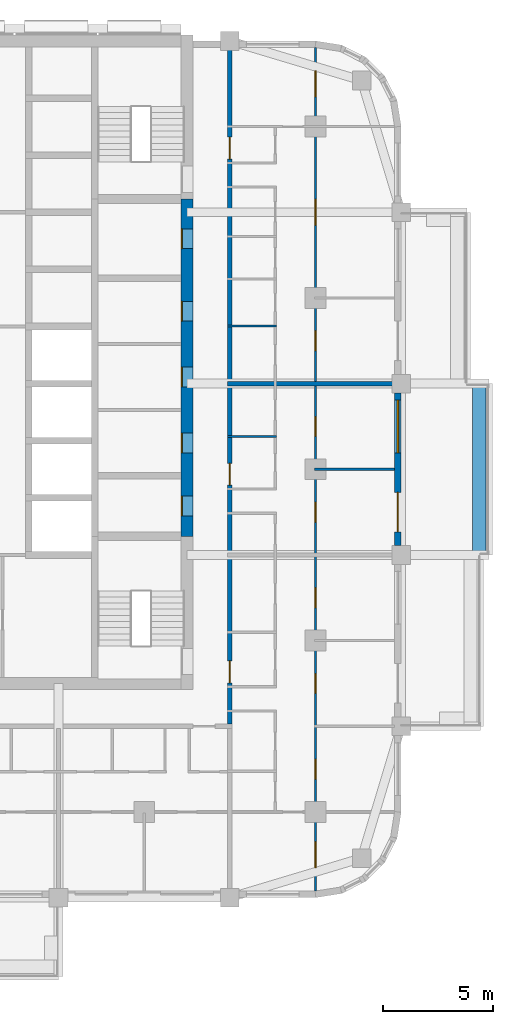
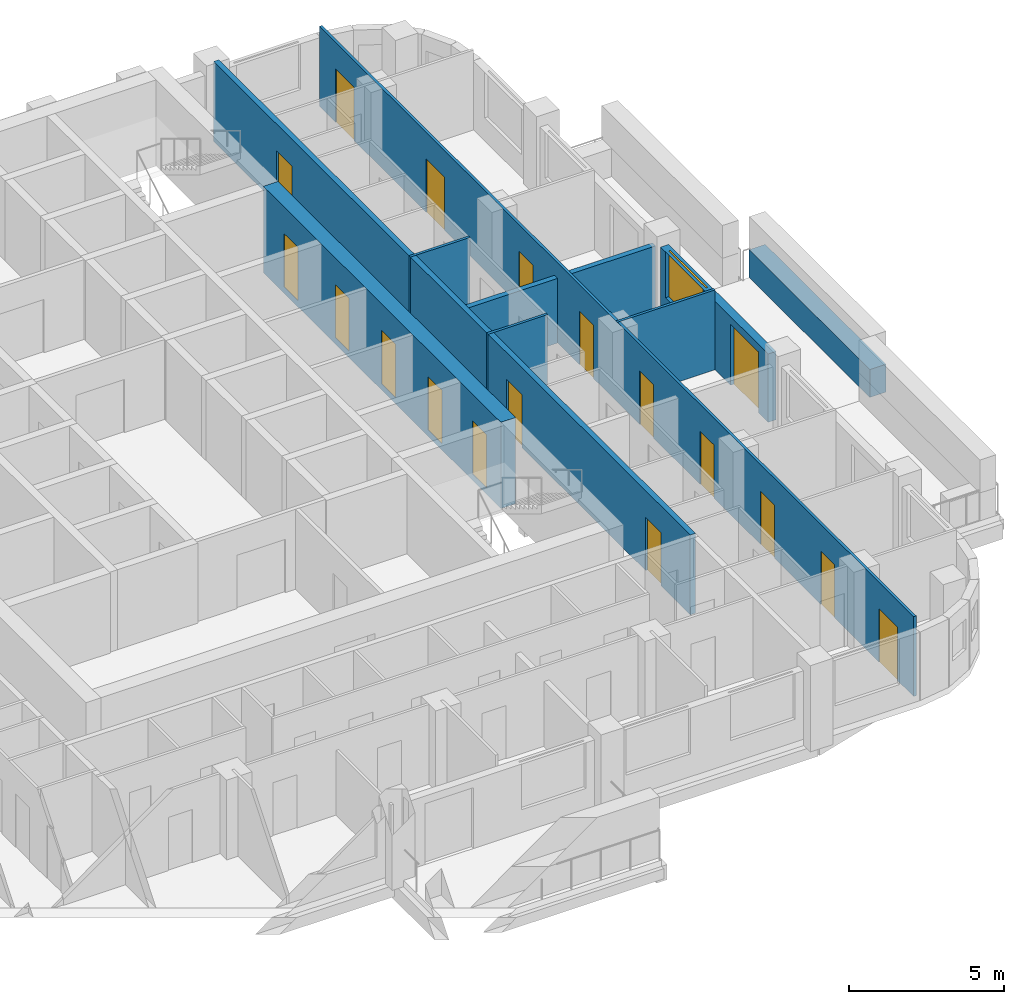
# One storey, part 7 of 13: 18 doors, 9 walls, 1 window, 19 openings.
"""IFC4 building model written with IfcOpenShell, lengths in metres."""

from ifc_helpers import new_model, si_unit, direction, frame, frame_2d, origin, place, context, subcontext, project, spatial, rectangle, extrude, material, layer, layer_set, type_object, element, fill, save


model = new_model("IFC4")

# Units and contexts
model_context = context("Model", 3, precision=1e-05, world=origin(), true_north=direction((0.0, 1.0)))
body_context = subcontext(model_context, "Body", "Model", "MODEL_VIEW")
ifc_project = project(units=[si_unit("LENGTHUNIT", "METRE"), si_unit("AREAUNIT", "SQUARE_METRE"), si_unit("VOLUMEUNIT", "CUBIC_METRE"), si_unit("PLANEANGLEUNIT", "RADIAN"), si_unit("MASSUNIT", "GRAM", prefix="KILO")], contexts=[model_context])

# Site, building, storey
site_placement = place(None, origin())
site = spatial("IfcSite", under=ifc_project, at=site_placement, CompositionType="ELEMENT")
building_placement = place(site_placement, origin())
building = spatial("IfcBuilding", under=site, at=building_placement, Name="Ludao Terraces", CompositionType="ELEMENT")
storey_placement = place(building_placement, frame((0.0, 0.0, 130.5)))
storey = spatial("IfcBuildingStorey", under=building, at=storey_placement, Name="L35", CompositionType="ELEMENT", Elevation=130.5)

# Wall, openings, doors
ifc_material_1 = material(Name="Concrete C60", Category="concrete")
ifc_layer_1 = layer(ifc_material_1, 0.550048828125)
ifc_layer_set_1 = layer_set([ifc_layer_1], Name="Core wall 550 C60")
wall_type_1 = type_object("IfcWallType", Name="Core wall 550 C60", PredefinedType="SOLIDWALL", material=ifc_layer_set_1)
wall_1_placement = place(storey_placement, frame((94.75, 61.949951171875, -0.25), z_axis=(0.0, 0.0, 1.0), x_axis=(0.0, 1.0, 0.0)))
wall_1 = element("IfcWall", 1, at=wall_1_placement, inside=storey, type_object=wall_type_1, Name="Core wall L35 outer-E", PredefinedType="SOLIDWALL", context=body_context, shape_type="SweptSolid", body=[
    extrude(rectangle(XDim=15.35009765625, YDim=0.550048828125, at=frame_2d((7.675048828125, 0.0))), origin(), (0.0, 0.0, 1.0), 3.39990234375),
])
opening_1_placement = place(wall_1_placement, frame((0.925048828125, 0.0, 0.25)))
opening_1 = element("IfcOpeningElement", 2, at=opening_1_placement, cuts=wall_1, Name="Opening R11-047", PredefinedType="OPENING", context=body_context, shape_type="SweptSolid", body=[
    extrude(rectangle(XDim=0.89990234375, YDim=2.10009765625, at=frame_2d((0.449951171875, 1.050048828125))), frame((0.0, 0.28515625, 0.0), z_axis=(0.0, -1.0, 0.0), x_axis=(1.0, 0.0, 0.0)), (0.0, 0.0, 1.0), 0.570068359375),
])
opening_2_placement = place(wall_1_placement, frame((3.800048828125, 0.0, 0.25)))
opening_2 = element("IfcOpeningElement", 3, at=opening_2_placement, cuts=wall_1, Name="Opening R11-054", PredefinedType="OPENING", context=body_context, shape_type="SweptSolid", body=[
    extrude(rectangle(XDim=0.89990234375, YDim=2.10009765625, at=frame_2d((0.449951171875, 1.050048828125))), frame((0.0, 0.28515625, 0.0), z_axis=(0.0, -1.0, 0.0), x_axis=(1.0, 0.0, 0.0)), (0.0, 0.0, 1.0), 0.570068359375),
])
opening_3_placement = place(wall_1_placement, frame((6.800048828125, 0.0, 0.25)))
opening_3 = element("IfcOpeningElement", 4, at=opening_3_placement, cuts=wall_1, Name="Opening R11-060", PredefinedType="OPENING", context=body_context, shape_type="SweptSolid", body=[
    extrude(rectangle(XDim=0.89990234375, YDim=2.10009765625, at=frame_2d((0.449951171875, 1.050048828125))), frame((0.0, 0.28515625, 0.0), z_axis=(0.0, -1.0, 0.0), x_axis=(1.0, 0.0, 0.0)), (0.0, 0.0, 1.0), 0.570068359375),
])
opening_4_placement = place(wall_1_placement, frame((9.800048828125, 0.0, 0.25)))
opening_4 = element("IfcOpeningElement", 5, at=opening_4_placement, cuts=wall_1, Name="Opening R11-068", PredefinedType="OPENING", context=body_context, shape_type="SweptSolid", body=[
    extrude(rectangle(XDim=0.89990234375, YDim=2.10009765625, at=frame_2d((0.449951171875, 1.050048828125))), frame((0.0, 0.28515625, 0.0), z_axis=(0.0, -1.0, 0.0), x_axis=(1.0, 0.0, 0.0)), (0.0, 0.0, 1.0), 0.570068359375),
])
opening_5_placement = place(wall_1_placement, frame((13.10009765625, 0.0, 0.25)))
opening_5 = element("IfcOpeningElement", 6, at=opening_5_placement, cuts=wall_1, Name="Opening R11-075", PredefinedType="OPENING", context=body_context, shape_type="SweptSolid", body=[
    extrude(rectangle(XDim=0.89990234375, YDim=2.10009765625, at=frame_2d((0.449951171875, 1.050048828125))), frame((0.0, 0.28515625, 0.0), z_axis=(0.0, -1.0, 0.0), x_axis=(1.0, 0.0, 0.0)), (0.0, 0.0, 1.0), 0.570068359375),
])
ifc_material_2 = material(Name="Steel Q235", Category="steel")
door_type_1 = type_object("IfcDoorType", Name="INT Riser door 900", OperationType="SINGLE_SWING_LEFT", PredefinedType="DOOR", material=ifc_material_2)
door_1_placement = place(opening_1_placement, origin())
door_1 = element("IfcDoor", 7, at=door_1_placement, inside=storey, type_object=door_type_1, Name="DOOR 047", OperationType="SINGLE_SWING_LEFT", OverallHeight=2.10009765625, OverallWidth=0.89990234375, PredefinedType="DOOR", context=body_context, shape_type="SweptSolid", body=[
    extrude(rectangle(XDim=0.89990234375, YDim=2.10009765625, at=frame_2d((0.449951171875, 1.050048828125))), frame((0.0, 0.26025390625, 0.0), z_axis=(0.0, -1.0, 0.0), x_axis=(1.0, 0.0, 0.0)), (0.0, 0.0, 1.0), 0.050048828125),
])
fill(opening_1, door_1)
door_2_placement = place(opening_5_placement, origin())
door_2 = element("IfcDoor", 8, at=door_2_placement, inside=storey, type_object=door_type_1, Name="DOOR 075", OperationType="SINGLE_SWING_LEFT", OverallHeight=2.10009765625, OverallWidth=0.89990234375, PredefinedType="DOOR", context=body_context, shape_type="SweptSolid", body=[
    extrude(rectangle(XDim=0.89990234375, YDim=2.10009765625, at=frame_2d((0.449951171875, 1.050048828125))), frame((0.0, 0.26025390625, 0.0), z_axis=(0.0, -1.0, 0.0), x_axis=(1.0, 0.0, 0.0)), (0.0, 0.0, 1.0), 0.050048828125),
])
fill(opening_5, door_2)
ifc_material_3 = material(Name="Timber door leaf", Category="wood")
door_type_2 = type_object("IfcDoorType", Name="INT Room door 900", OperationType="SINGLE_SWING_LEFT", PredefinedType="DOOR", material=ifc_material_3)
door_3_placement = place(opening_2_placement, origin())
door_3 = element("IfcDoor", 9, at=door_3_placement, inside=storey, type_object=door_type_2, Name="DOOR 054", OperationType="SINGLE_SWING_LEFT", OverallHeight=2.10009765625, OverallWidth=0.89990234375, PredefinedType="DOOR", context=body_context, shape_type="SweptSolid", body=[
    extrude(rectangle(XDim=0.89990234375, YDim=2.10009765625, at=frame_2d((0.449951171875, 1.050048828125))), frame((0.0, 0.26025390625, 0.0), z_axis=(0.0, -1.0, 0.0), x_axis=(1.0, 0.0, 0.0)), (0.0, 0.0, 1.0), 0.050048828125),
])
fill(opening_2, door_3)
door_4_placement = place(opening_3_placement, origin())
door_4 = element("IfcDoor", 10, at=door_4_placement, inside=storey, type_object=door_type_2, Name="DOOR 060", OperationType="SINGLE_SWING_LEFT", OverallHeight=2.10009765625, OverallWidth=0.89990234375, PredefinedType="DOOR", context=body_context, shape_type="SweptSolid", body=[
    extrude(rectangle(XDim=0.89990234375, YDim=2.10009765625, at=frame_2d((0.449951171875, 1.050048828125))), frame((0.0, 0.26025390625, 0.0), z_axis=(0.0, -1.0, 0.0), x_axis=(1.0, 0.0, 0.0)), (0.0, 0.0, 1.0), 0.050048828125),
])
fill(opening_3, door_4)
door_5_placement = place(opening_4_placement, origin())
door_5 = element("IfcDoor", 11, at=door_5_placement, inside=storey, type_object=door_type_2, Name="DOOR 068", OperationType="SINGLE_SWING_RIGHT", OverallHeight=2.10009765625, OverallWidth=0.89990234375, PredefinedType="DOOR", context=body_context, shape_type="SweptSolid", body=[
    extrude(rectangle(XDim=0.89990234375, YDim=2.10009765625, at=frame_2d((0.449951171875, 1.050048828125))), frame((0.0, 0.26025390625, 0.0), z_axis=(0.0, -1.0, 0.0), x_axis=(1.0, 0.0, 0.0)), (0.0, 0.0, 1.0), 0.050048828125),
])
fill(opening_4, door_5)

# Wall
ifc_material_4 = material(Name="Concrete C40", Category="concrete")
ifc_layer_2 = layer(ifc_material_4, 0.60009765625)
ifc_layer_set_2 = layer_set([ifc_layer_2], Name="ENV Planter trough 600")
wall_type_2 = type_object("IfcWallType", Name="ENV Planter trough 600", PredefinedType="USERDEFINED", material=ifc_layer_set_2)
wall_2_placement = place(storey_placement, frame((108.050048828125, 61.10009765625, 0.0), z_axis=(0.0, 0.0, 1.0), x_axis=(0.0, 1.0, 0.0)))
element("IfcWall", 12, at=wall_2_placement, inside=storey, type_object=wall_type_2, Name="PL-L35-E2", ObjectType="PLANTER", PredefinedType="USERDEFINED", context=body_context, shape_type="SweptSolid", body=[
    extrude(rectangle(XDim=7.7998046875, YDim=0.60009765625, at=frame_2d((3.89990234375, 0.0))), origin(), (0.0, 0.0, 1.0), 1.10009765625),
])

# Wall, openings, door, window
ifc_material_5 = material(Name="Granite cladding", Category="masonry")
ifc_layer_3 = layer(ifc_material_5, 0.0400390625, Category="stone")
ifc_material_6 = material(Name="Mineral wool")
ifc_layer_4 = layer(ifc_material_6, 0.06005859375)
ifc_layer_5 = layer(ifc_material_4, 0.199951171875, Category="concrete")
ifc_layer_set_3 = layer_set([ifc_layer_3, ifc_layer_4, ifc_layer_5], Name="ENV Stone-clad wall 300")
wall_type_3 = type_object("IfcWallType", Name="ENV Stone-clad wall 300", PredefinedType="SOLIDWALL", material=ifc_layer_set_3)
wall_3_placement = place(storey_placement, frame((104.35009765625, 61.52490234375, 0.0), z_axis=(0.0, 0.0, 1.0), x_axis=(0.0, 1.0, 0.0)))
wall_3 = element("IfcWall", 13, at=wall_3_placement, inside=storey, type_object=wall_type_3, Name="EW-L35-E3", PredefinedType="SOLIDWALL", context=body_context, shape_type="SweptSolid", body=[
    extrude(rectangle(XDim=6.9501953125, YDim=0.300048828125, at=frame_2d((3.47509765625, 0.0))), origin(), (0.0, 0.0, 1.0), 2.699951171875),
])
opening_6_placement = place(wall_3_placement, frame((0.625, 0.0, 0.0)))
opening_6 = element("IfcOpeningElement", 14, at=opening_6_placement, cuts=wall_3, Name="Opening BD", PredefinedType="OPENING", context=body_context, shape_type="SweptSolid", body=[
    extrude(rectangle(XDim=1.800048828125, YDim=2.39990234375, at=frame_2d((0.89990234375, 1.199951171875))), frame((0.0, 0.16015625, 0.0), z_axis=(0.0, -1.0, 0.0), x_axis=(1.0, 0.0, 0.0)), (0.0, 0.0, 1.0), 0.320068359375),
])
opening_7_placement = place(wall_3_placement, frame((4.22509765625, 0.0, 0.89990234375)))
opening_7 = element("IfcOpeningElement", 15, at=opening_7_placement, cuts=wall_3, Name="Opening W1", PredefinedType="OPENING", context=body_context, shape_type="SweptSolid", body=[
    extrude(rectangle(XDim=2.39990234375, YDim=1.800048828125, at=frame_2d((1.199951171875, 0.89990234375))), frame((0.0, 0.16015625, 0.0), z_axis=(0.0, -1.0, 0.0), x_axis=(1.0, 0.0, 0.0)), (0.0, 0.0, 1.0), 0.320068359375),
])
ifc_material_7 = material(Name="Aluminium glazed door", Category="aluminium")
ifc_layer_6 = layer(ifc_material_7, 0.06005859375)
ifc_layer_set_4 = layer_set([ifc_layer_6], Name="ENV Balcony door BD 1800x2400")
door_type_3 = type_object("IfcDoorType", Name="ENV Balcony door BD 1800x2400", OperationType="DOUBLE_DOOR_SINGLE_SWING", PredefinedType="DOOR", material=ifc_layer_set_4)
door_6_placement = place(opening_6_placement, origin())
door_6 = element("IfcDoor", 16, at=door_6_placement, inside=storey, type_object=door_type_3, Name="BD-L35-E3-1", OperationType="DOUBLE_DOOR_SINGLE_SWING", OverallHeight=2.39990234375, OverallWidth=1.800048828125, PredefinedType="DOOR", context=body_context, shape_type="SweptSolid", body=[
    extrude(rectangle(XDim=1.800048828125, YDim=2.39990234375, at=frame_2d((0.89990234375, 1.199951171875))), frame((0.0, 0.02490234375, 0.0), z_axis=(0.0, -1.0, 0.0), x_axis=(1.0, 0.0, 0.0)), (0.0, 0.0, 1.0), 0.050048828125),
])
fill(opening_6, door_6)
ifc_material_8 = material(Name="Clear glass in aluminium frame", Category="aluminium")
ifc_layer_7 = layer(ifc_material_8, 0.06005859375)
ifc_layer_set_5 = layer_set([ifc_layer_7], Name="ENV Window W1 2400x1800")
window_type = type_object("IfcWindowType", Name="ENV Window W1 2400x1800", PartitioningType="DOUBLE_PANEL_VERTICAL", PredefinedType="WINDOW", material=ifc_layer_set_5)
window_placement = place(opening_7_placement, origin())
window = element("IfcWindow", 17, at=window_placement, inside=storey, type_object=window_type, Name="W-L35-E3-2", OverallHeight=1.800048828125, OverallWidth=2.39990234375, PartitioningType="DOUBLE_PANEL_VERTICAL", PredefinedType="WINDOW", context=body_context, shape_type="SweptSolid", body=[
    extrude(rectangle(XDim=2.39990234375, YDim=1.800048828125, at=frame_2d((1.199951171875, 0.89990234375))), frame((0.0, 0.030029296875, 0.0), z_axis=(0.0, -1.0, 0.0), x_axis=(1.0, 0.0, 0.0)), (0.0, 0.0, 1.0), 0.06005859375),
])
fill(opening_7, window)

# Wall, openings, doors
ifc_material_9 = material(Name="Autoclaved aerated concrete block B06 A3.5", Category="concrete")
ifc_layer_8 = layer(ifc_material_9, 0.199951171875)
ifc_layer_set_6 = layer_set([ifc_layer_8], Name="INT Entrance wall 200")
wall_type_4 = type_object("IfcWallType", Name="INT Entrance wall 200", PredefinedType="PARTITIONING", material=ifc_layer_set_6)
wall_4_placement = place(storey_placement, frame((96.699951171875, 53.400146484375, 0.0), z_axis=(0.0, 0.0, 1.0), x_axis=(0.0, 1.0, 0.0)))
wall_4 = element("IfcWall", 18, at=wall_4_placement, inside=storey, type_object=wall_type_4, Name="PW-L35-PW070", PredefinedType="PARTITIONING", context=body_context, shape_type="SweptSolid", body=[
    extrude(rectangle(XDim=30.800048828125, YDim=0.199951171875, at=frame_2d((15.39990234375, 0.0))), origin(), (0.0, 0.0, 1.0), 3.14990234375),
])
opening_8_placement = place(wall_4_placement, frame((1.875, 0.0, 0.0)))
opening_8 = element("IfcOpeningElement", 19, at=opening_8_placement, cuts=wall_4, Name="Opening R11-031", PredefinedType="OPENING", context=body_context, shape_type="SweptSolid", body=[
    extrude(rectangle(XDim=1.0, YDim=2.10009765625, at=frame_2d((0.5, 1.050048828125))), frame((0.0, 0.10986328125, 0.0), z_axis=(0.0, -1.0, 0.0), x_axis=(1.0, 0.0, 0.0)), (0.0, 0.0, 1.0), 0.219970703125),
])
opening_9_placement = place(wall_4_placement, frame((10.875, 0.0, 0.0)))
opening_9 = element("IfcOpeningElement", 20, at=opening_9_placement, cuts=wall_4, Name="Opening R11-048", PredefinedType="OPENING", context=body_context, shape_type="SweptSolid", body=[
    extrude(rectangle(XDim=1.0, YDim=2.10009765625, at=frame_2d((0.5, 1.050048828125))), frame((0.0, 0.10986328125, 0.0), z_axis=(0.0, -1.0, 0.0), x_axis=(1.0, 0.0, 0.0)), (0.0, 0.0, 1.0), 0.219970703125),
])
opening_10_placement = place(wall_4_placement, frame((25.72509765625, 0.0, 0.0)))
opening_10 = element("IfcOpeningElement", 21, at=opening_10_placement, cuts=wall_4, Name="Opening R11-085", PredefinedType="OPENING", context=body_context, shape_type="SweptSolid", body=[
    extrude(rectangle(XDim=1.0, YDim=2.10009765625, at=frame_2d((0.5, 1.050048828125))), frame((0.0, 0.10986328125, 0.0), z_axis=(0.0, -1.0, 0.0), x_axis=(1.0, 0.0, 0.0)), (0.0, 0.0, 1.0), 0.219970703125),
])
door_type_4 = type_object("IfcDoorType", Name="INT Flat entrance door 1000", OperationType="SINGLE_SWING_LEFT", PredefinedType="DOOR", material=ifc_material_2)
door_7_placement = place(opening_8_placement, origin())
door_7 = element("IfcDoor", 22, at=door_7_placement, inside=storey, type_object=door_type_4, Name="DOOR 031", OperationType="SINGLE_SWING_LEFT", OverallHeight=2.10009765625, OverallWidth=1.0, PredefinedType="DOOR", context=body_context, shape_type="SweptSolid", body=[
    extrude(rectangle(XDim=1.0, YDim=2.10009765625, at=frame_2d((0.5, 1.050048828125))), frame((0.0, 0.02490234375, 0.0), z_axis=(0.0, -1.0, 0.0), x_axis=(1.0, 0.0, 0.0)), (0.0, 0.0, 1.0), 0.050048828125),
])
fill(opening_8, door_7)
door_8_placement = place(opening_9_placement, origin())
door_8 = element("IfcDoor", 23, at=door_8_placement, inside=storey, type_object=door_type_4, Name="DOOR 048", OperationType="SINGLE_SWING_LEFT", OverallHeight=2.10009765625, OverallWidth=1.0, PredefinedType="DOOR", context=body_context, shape_type="SweptSolid", body=[
    extrude(rectangle(XDim=1.0, YDim=2.10009765625, at=frame_2d((0.5, 1.050048828125))), frame((0.0, 0.02490234375, 0.0), z_axis=(0.0, -1.0, 0.0), x_axis=(1.0, 0.0, 0.0)), (0.0, 0.0, 1.0), 0.050048828125),
])
fill(opening_9, door_8)
door_9_placement = place(opening_10_placement, origin())
door_9 = element("IfcDoor", 24, at=door_9_placement, inside=storey, type_object=door_type_4, Name="DOOR 085", OperationType="SINGLE_SWING_LEFT", OverallHeight=2.10009765625, OverallWidth=1.0, PredefinedType="DOOR", context=body_context, shape_type="SweptSolid", body=[
    extrude(rectangle(XDim=1.0, YDim=2.10009765625, at=frame_2d((0.5, 1.050048828125))), frame((0.0, 0.02490234375, 0.0), z_axis=(0.0, -1.0, 0.0), x_axis=(1.0, 0.0, 0.0)), (0.0, 0.0, 1.0), 0.050048828125),
])
fill(opening_10, door_9)

# Walls
ifc_material_10 = material(Name="Gypsum plasterboard", Category="gypsum")
ifc_layer_9 = layer(ifc_material_10, 0.012451171875, Category="gypsum")
ifc_layer_10 = layer(ifc_material_6, 0.06005859375, Name="insulation")
ifc_layer_11 = layer(ifc_material_2, 0.014892578125, Name="stud")
ifc_layer_12 = layer(ifc_material_10, 0.012451171875, Category="gypsum")
ifc_layer_set_7 = layer_set([ifc_layer_9, ifc_layer_10, ifc_layer_11, ifc_layer_12], Name="INT Partition 100")
wall_type_5 = type_object("IfcWallType", Name="INT Partition 100", PredefinedType="PARTITIONING", material=ifc_layer_set_7)
wall_5_placement = place(storey_placement, frame((100.550048828125, 65.0, 0.0), z_axis=(0.0, 0.0, 1.0), x_axis=(1.0, 0.0, 0.0)))
element("IfcWall", 25, at=wall_5_placement, inside=storey, type_object=wall_type_5, Name="PW-L35-PW024", PredefinedType="PARTITIONING", context=body_context, shape_type="SweptSolid", body=[
    extrude(rectangle(XDim=3.650146484375, YDim=0.10009765625, at=frame_2d((1.8251953125, 0.0))), origin(), (0.0, 0.0, 1.0), 3.14990234375),
])
for number, where, z_axis, x_axis, name in (
    (26, (96.60009765625, 66.5, 0.0), (0.0, 0.0, 1.0), (1.0, 0.0, 0.0), "PW-L35-PW025"),
    (27, (96.60009765625, 71.52001953125, 0.0), (0.0, 0.0, 1.0), (1.0, 0.0, 0.0), "PW-L35-PW034"),
):
    element("IfcWall", number, at=place(storey_placement, frame(where, z_axis=z_axis, x_axis=x_axis)), inside=storey, type_object=wall_type_5, Name=name, PredefinedType="PARTITIONING", context=body_context, shape_type="SweptSolid", body=[
        extrude(rectangle(XDim=2.219970703125, YDim=0.10009765625, at=frame_2d((1.10986328125, 0.0))), origin(), (0.0, 0.0, 1.0), 3.14990234375),
    ])

# Wall, openings, doors
wall_6_placement = place(storey_placement, frame((100.60009765625, 45.800048828125, 0.0), z_axis=(0.0, 0.0, 1.0), x_axis=(0.0, 1.0, 0.0)))
wall_6 = element("IfcWall", 28, at=wall_6_placement, inside=storey, type_object=wall_type_5, Name="PW-L35-PW075", PredefinedType="PARTITIONING", context=body_context, shape_type="SweptSolid", body=[
    extrude(rectangle(XDim=38.400146484375, YDim=0.10009765625, at=frame_2d((19.2001953125, 0.0))), origin(), (0.0, 0.0, 1.0), 3.14990234375),
])
opening_11_placement = place(wall_6_placement, frame((1.050048828125, 0.0, 0.0)))
opening_11 = element("IfcOpeningElement", 29, at=opening_11_placement, cuts=wall_6, Name="Opening R11-002", PredefinedType="OPENING", context=body_context, shape_type="SweptSolid", body=[
    extrude(rectangle(XDim=1.199951171875, YDim=2.10009765625, at=frame_2d((0.60009765625, 1.050048828125))), frame((0.0, 0.06005859375, 0.0), z_axis=(0.0, -1.0, 0.0), x_axis=(1.0, 0.0, 0.0)), (0.0, 0.0, 1.0), 0.1201171875),
])
opening_12_placement = place(wall_6_placement, frame((5.10009765625, 0.0, 0.0)))
opening_12 = element("IfcOpeningElement", 30, at=opening_12_placement, cuts=wall_6, Name="Opening R11-022", PredefinedType="OPENING", context=body_context, shape_type="SweptSolid", body=[
    extrude(rectangle(XDim=0.89990234375, YDim=2.10009765625, at=frame_2d((0.449951171875, 1.050048828125))), frame((0.0, 0.06005859375, 0.0), z_axis=(0.0, -1.0, 0.0), x_axis=(1.0, 0.0, 0.0)), (0.0, 0.0, 1.0), 0.1201171875),
])
opening_13_placement = place(wall_6_placement, frame((9.0, 0.0, 0.0)))
opening_13 = element("IfcOpeningElement", 31, at=opening_13_placement, cuts=wall_6, Name="Opening R11-030", PredefinedType="OPENING", context=body_context, shape_type="SweptSolid", body=[
    extrude(rectangle(XDim=0.89990234375, YDim=2.10009765625, at=frame_2d((0.449951171875, 1.050048828125))), frame((0.0, 0.06005859375, 0.0), z_axis=(0.0, -1.0, 0.0), x_axis=(1.0, 0.0, 0.0)), (0.0, 0.0, 1.0), 0.1201171875),
])
opening_14_placement = place(wall_6_placement, frame((12.89990234375, 0.0, 0.0)))
opening_14 = element("IfcOpeningElement", 32, at=opening_14_placement, cuts=wall_6, Name="Opening R11-038", PredefinedType="OPENING", context=body_context, shape_type="SweptSolid", body=[
    extrude(rectangle(XDim=0.89990234375, YDim=2.10009765625, at=frame_2d((0.449951171875, 1.050048828125))), frame((0.0, 0.06005859375, 0.0), z_axis=(0.0, -1.0, 0.0), x_axis=(1.0, 0.0, 0.0)), (0.0, 0.0, 1.0), 0.1201171875),
])
opening_15_placement = place(wall_6_placement, frame((16.800048828125, 0.0, 0.0)))
opening_15 = element("IfcOpeningElement", 33, at=opening_15_placement, cuts=wall_6, Name="Opening R11-046", PredefinedType="OPENING", context=body_context, shape_type="SweptSolid", body=[
    extrude(rectangle(XDim=0.89990234375, YDim=2.10009765625, at=frame_2d((0.449951171875, 1.050048828125))), frame((0.0, 0.06005859375, 0.0), z_axis=(0.0, -1.0, 0.0), x_axis=(1.0, 0.0, 0.0)), (0.0, 0.0, 1.0), 0.1201171875),
])
opening_16_placement = place(wall_6_placement, frame((20.699951171875, 0.0, 0.0)))
opening_16 = element("IfcOpeningElement", 34, at=opening_16_placement, cuts=wall_6, Name="Opening R11-055", PredefinedType="OPENING", context=body_context, shape_type="SweptSolid", body=[
    extrude(rectangle(XDim=0.89990234375, YDim=2.10009765625, at=frame_2d((0.449951171875, 1.050048828125))), frame((0.0, 0.06005859375, 0.0), z_axis=(0.0, -1.0, 0.0), x_axis=(1.0, 0.0, 0.0)), (0.0, 0.0, 1.0), 0.1201171875),
])
opening_17_placement = place(wall_6_placement, frame((24.60009765625, 0.0, 0.0)))
opening_17 = element("IfcOpeningElement", 35, at=opening_17_placement, cuts=wall_6, Name="Opening R11-064", PredefinedType="OPENING", context=body_context, shape_type="SweptSolid", body=[
    extrude(rectangle(XDim=0.89990234375, YDim=2.10009765625, at=frame_2d((0.449951171875, 1.050048828125))), frame((0.0, 0.06005859375, 0.0), z_axis=(0.0, -1.0, 0.0), x_axis=(1.0, 0.0, 0.0)), (0.0, 0.0, 1.0), 0.1201171875),
])
opening_18_placement = place(wall_6_placement, frame((30.300048828125, 0.0, 0.0)))
opening_18 = element("IfcOpeningElement", 36, at=opening_18_placement, cuts=wall_6, Name="Opening R11-079", PredefinedType="OPENING", context=body_context, shape_type="SweptSolid", body=[
    extrude(rectangle(XDim=1.199951171875, YDim=2.10009765625, at=frame_2d((0.60009765625, 1.050048828125))), frame((0.0, 0.06005859375, 0.0), z_axis=(0.0, -1.0, 0.0), x_axis=(1.0, 0.0, 0.0)), (0.0, 0.0, 1.0), 0.1201171875),
])
opening_19_placement = place(wall_6_placement, frame((36.14990234375, 0.0, 0.0)))
opening_19 = element("IfcOpeningElement", 37, at=opening_19_placement, cuts=wall_6, Name="Opening R11-092", PredefinedType="OPENING", context=body_context, shape_type="SweptSolid", body=[
    extrude(rectangle(XDim=1.199951171875, YDim=2.10009765625, at=frame_2d((0.60009765625, 1.050048828125))), frame((0.0, 0.06005859375, 0.0), z_axis=(0.0, -1.0, 0.0), x_axis=(1.0, 0.0, 0.0)), (0.0, 0.0, 1.0), 0.1201171875),
])
door_type_5 = type_object("IfcDoorType", Name="INT Double door 1200", OperationType="DOUBLE_DOOR_SINGLE_SWING", PredefinedType="DOOR", material=ifc_material_3)
door_10_placement = place(opening_11_placement, origin())
door_10 = element("IfcDoor", 38, at=door_10_placement, inside=storey, type_object=door_type_5, Name="DOOR 002", OperationType="DOUBLE_DOOR_SINGLE_SWING", OverallHeight=2.10009765625, OverallWidth=1.199951171875, PredefinedType="DOOR", context=body_context, shape_type="SweptSolid", body=[
    extrude(rectangle(XDim=1.199951171875, YDim=2.10009765625, at=frame_2d((0.60009765625, 1.050048828125))), frame((0.0, 0.02490234375, 0.0), z_axis=(0.0, -1.0, 0.0), x_axis=(1.0, 0.0, 0.0)), (0.0, 0.0, 1.0), 0.050048828125),
])
fill(opening_11, door_10)
door_11_placement = place(opening_18_placement, origin())
door_11 = element("IfcDoor", 39, at=door_11_placement, inside=storey, type_object=door_type_5, Name="DOOR 079", OperationType="DOUBLE_DOOR_SINGLE_SWING", OverallHeight=2.10009765625, OverallWidth=1.199951171875, PredefinedType="DOOR", context=body_context, shape_type="SweptSolid", body=[
    extrude(rectangle(XDim=1.199951171875, YDim=2.10009765625, at=frame_2d((0.60009765625, 1.050048828125))), frame((0.0, 0.02490234375, 0.0), z_axis=(0.0, -1.0, 0.0), x_axis=(1.0, 0.0, 0.0)), (0.0, 0.0, 1.0), 0.050048828125),
])
fill(opening_18, door_11)
door_12_placement = place(opening_19_placement, origin())
door_12 = element("IfcDoor", 40, at=door_12_placement, inside=storey, type_object=door_type_5, Name="DOOR 092", OperationType="DOUBLE_DOOR_SINGLE_SWING", OverallHeight=2.10009765625, OverallWidth=1.199951171875, PredefinedType="DOOR", context=body_context, shape_type="SweptSolid", body=[
    extrude(rectangle(XDim=1.199951171875, YDim=2.10009765625, at=frame_2d((0.60009765625, 1.050048828125))), frame((0.0, 0.02490234375, 0.0), z_axis=(0.0, -1.0, 0.0), x_axis=(1.0, 0.0, 0.0)), (0.0, 0.0, 1.0), 0.050048828125),
])
fill(opening_19, door_12)
door_13_placement = place(opening_12_placement, origin())
door_13 = element("IfcDoor", 41, at=door_13_placement, inside=storey, type_object=door_type_2, Name="DOOR 022", OperationType="SINGLE_SWING_RIGHT", OverallHeight=2.10009765625, OverallWidth=0.89990234375, PredefinedType="DOOR", context=body_context, shape_type="SweptSolid", body=[
    extrude(rectangle(XDim=0.89990234375, YDim=2.10009765625, at=frame_2d((0.449951171875, 1.050048828125))), frame((0.0, 0.02490234375, 0.0), z_axis=(0.0, -1.0, 0.0), x_axis=(1.0, 0.0, 0.0)), (0.0, 0.0, 1.0), 0.050048828125),
])
fill(opening_12, door_13)
door_14_placement = place(opening_13_placement, origin())
door_14 = element("IfcDoor", 42, at=door_14_placement, inside=storey, type_object=door_type_2, Name="DOOR 030", OperationType="SINGLE_SWING_RIGHT", OverallHeight=2.10009765625, OverallWidth=0.89990234375, PredefinedType="DOOR", context=body_context, shape_type="SweptSolid", body=[
    extrude(rectangle(XDim=0.89990234375, YDim=2.10009765625, at=frame_2d((0.449951171875, 1.050048828125))), frame((0.0, 0.02490234375, 0.0), z_axis=(0.0, -1.0, 0.0), x_axis=(1.0, 0.0, 0.0)), (0.0, 0.0, 1.0), 0.050048828125),
])
fill(opening_13, door_14)
door_15_placement = place(opening_14_placement, origin())
door_15 = element("IfcDoor", 43, at=door_15_placement, inside=storey, type_object=door_type_2, Name="DOOR 038", OperationType="SINGLE_SWING_RIGHT", OverallHeight=2.10009765625, OverallWidth=0.89990234375, PredefinedType="DOOR", context=body_context, shape_type="SweptSolid", body=[
    extrude(rectangle(XDim=0.89990234375, YDim=2.10009765625, at=frame_2d((0.449951171875, 1.050048828125))), frame((0.0, 0.02490234375, 0.0), z_axis=(0.0, -1.0, 0.0), x_axis=(1.0, 0.0, 0.0)), (0.0, 0.0, 1.0), 0.050048828125),
])
fill(opening_14, door_15)
door_16_placement = place(opening_15_placement, origin())
door_16 = element("IfcDoor", 44, at=door_16_placement, inside=storey, type_object=door_type_2, Name="DOOR 046", OperationType="SINGLE_SWING_LEFT", OverallHeight=2.10009765625, OverallWidth=0.89990234375, PredefinedType="DOOR", context=body_context, shape_type="SweptSolid", body=[
    extrude(rectangle(XDim=0.89990234375, YDim=2.10009765625, at=frame_2d((0.449951171875, 1.050048828125))), frame((0.0, 0.02490234375, 0.0), z_axis=(0.0, -1.0, 0.0), x_axis=(1.0, 0.0, 0.0)), (0.0, 0.0, 1.0), 0.050048828125),
])
fill(opening_15, door_16)
door_17_placement = place(opening_16_placement, origin())
door_17 = element("IfcDoor", 45, at=door_17_placement, inside=storey, type_object=door_type_2, Name="DOOR 055", OperationType="SINGLE_SWING_RIGHT", OverallHeight=2.10009765625, OverallWidth=0.89990234375, PredefinedType="DOOR", context=body_context, shape_type="SweptSolid", body=[
    extrude(rectangle(XDim=0.89990234375, YDim=2.10009765625, at=frame_2d((0.449951171875, 1.050048828125))), frame((0.0, 0.02490234375, 0.0), z_axis=(0.0, -1.0, 0.0), x_axis=(1.0, 0.0, 0.0)), (0.0, 0.0, 1.0), 0.050048828125),
])
fill(opening_16, door_17)
door_18_placement = place(opening_17_placement, origin())
door_18 = element("IfcDoor", 46, at=door_18_placement, inside=storey, type_object=door_type_2, Name="DOOR 064", OperationType="SINGLE_SWING_RIGHT", OverallHeight=2.10009765625, OverallWidth=0.89990234375, PredefinedType="DOOR", context=body_context, shape_type="SweptSolid", body=[
    extrude(rectangle(XDim=0.89990234375, YDim=2.10009765625, at=frame_2d((0.449951171875, 1.050048828125))), frame((0.0, 0.02490234375, 0.0), z_axis=(0.0, -1.0, 0.0), x_axis=(1.0, 0.0, 0.0)), (0.0, 0.0, 1.0), 0.050048828125),
])
fill(opening_17, door_18)

# Wall
ifc_layer_13 = layer(ifc_material_9, 0.199951171875)
ifc_layer_set_8 = layer_set([ifc_layer_13], Name="INT Party wall 200")
wall_type_6 = type_object("IfcWallType", Name="INT Party wall 200", PredefinedType="PARTITIONING", material=ifc_layer_set_8)
wall_7_placement = place(storey_placement, frame((96.60009765625, 68.89990234375, 0.0), z_axis=(0.0, 0.0, 1.0), x_axis=(1.0, 0.0, 0.0)))
element("IfcWall", 47, at=wall_7_placement, inside=storey, type_object=wall_type_6, Name="PW-L35-PW029", PredefinedType="PARTITIONING", context=body_context, shape_type="SweptSolid", body=[
    extrude(rectangle(XDim=7.60009765625, YDim=0.199951171875, at=frame_2d((3.800048828125, 0.0))), origin(), (0.0, 0.0, 1.0), 2.550048828125),
])

save(model, "model.ifc")
